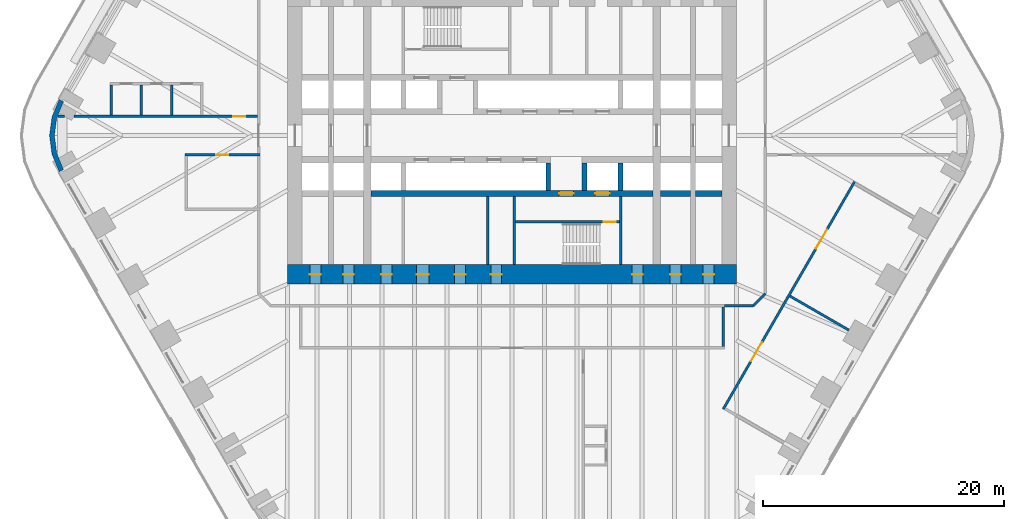
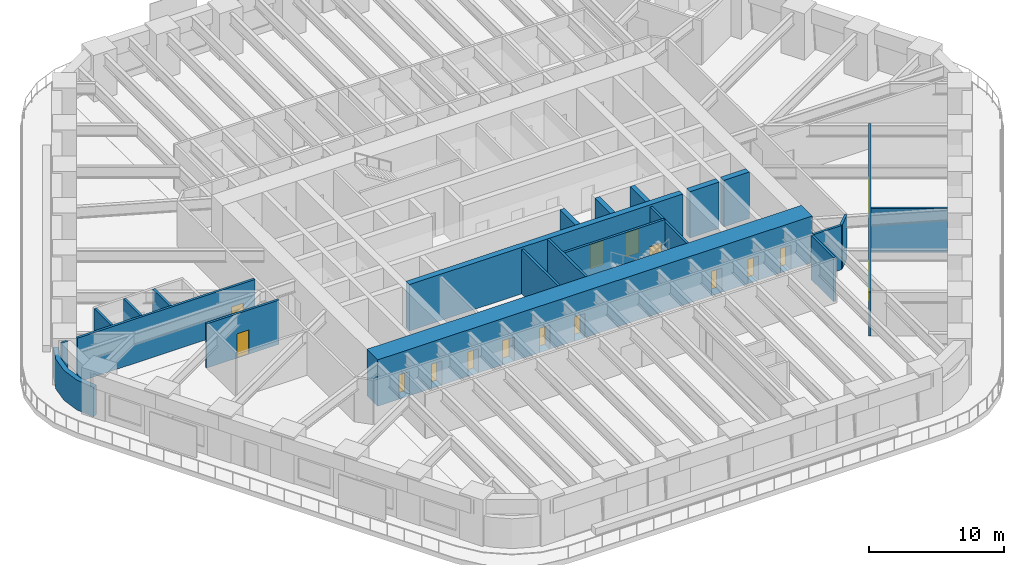
# One storey, part 17 of 23: 23 walls, 16 doors, 16 openings.
"""IFC4 building model written with IfcOpenShell, lengths in metres."""

from ifc_helpers import new_model, si_unit, direction, frame, frame_2d, origin, place, context, subcontext, project, spatial, polyline, rectangle, outline, extrude, material, layer, layer_set, type_object, element, fill, save


model = new_model("IFC4")

# Units and contexts
model_context = context("Model", 3, precision=1e-05, world=origin(), true_north=direction((0.0, 1.0)))
body_context = subcontext(model_context, "Body", "Model", "MODEL_VIEW")
ifc_project = project(units=[si_unit("LENGTHUNIT", "METRE"), si_unit("AREAUNIT", "SQUARE_METRE"), si_unit("VOLUMEUNIT", "CUBIC_METRE"), si_unit("PLANEANGLEUNIT", "RADIAN"), si_unit("MASSUNIT", "GRAM", prefix="KILO")], contexts=[model_context])

# Site, building, storey
site_placement = place(None, origin())
site = spatial("IfcSite", under=ifc_project, at=site_placement, CompositionType="ELEMENT")
building_placement = place(site_placement, origin())
building = spatial("IfcBuilding", under=site, at=building_placement, Name="Tarfa Lantern Tower", CompositionType="ELEMENT")
storey_placement = place(building_placement, frame((0.0, 0.0, 57.10009765625)))
storey = spatial("IfcBuildingStorey", under=building, at=storey_placement, Name="L12", CompositionType="ELEMENT", Elevation=57.10009765625)

# Walls
ifc_material_1 = material(Name="Limestone cladding on blockwork", Category="masonry")
ifc_layer_1 = layer(ifc_material_1, 0.39990234375)
ifc_layer_set_1 = layer_set([ifc_layer_1], Name="EW2 CURVED STONE CORNER 400")
wall_type_1 = type_object("IfcWallType", Name="EW2 CURVED STONE CORNER 400", PredefinedType="SOLIDWALL", material=ifc_layer_set_1)
wall_1_placement = place(storey_placement, origin())
element("IfcWall", 1, at=wall_1_placement, inside=storey, type_object=wall_type_1, Name="Stone corner NW-SW", PredefinedType="SOLIDWALL", context=body_context, shape_type="SweptSolid", body=[
    extrude(outline(polyline([(-37.52783203125, 3.0), (-38.127197265625, 1.552978515625), (-38.33154296875, 0.0), (-38.127197265625, -1.552978515625), (-37.52783203125, -3.0), (-37.181396484375, -2.800048828125), (-37.74072265625, -1.449462890625), (-37.931640625, 0.0), (-37.74072265625, 1.449462890625), (-37.181396484375, 2.800048828125), (-37.52783203125, 3.0)])), origin(), (0.0, 0.0, 1.0), 2.699951171875),
])
ifc_material_2 = material(Name="Concrete blockwork", Category="masonry")
ifc_layer_2 = layer(ifc_material_2, 0.199951171875)
ifc_layer_set_2 = layer_set([ifc_layer_2], Name="IW1 BLOCKWORK PARTITION 200 EI 120")
wall_type_2 = type_object("IfcWallType", Name="IW1 BLOCKWORK PARTITION 200 EI 120", PredefinedType="PARTITIONING", material=ifc_layer_set_2)
for number, where, z_axis, x_axis, name in (
    (2, (9.0, -5.050048828125, 0.0), (0.0, 0.0, 1.0), (0.0, -1.0, 0.0), "Core partition"),
    (3, (-2.0, -5.050048828125, 0.0), (0.0, 0.0, 1.0), (0.0, -1.0, 0.0), "Core partition"),
):
    element("IfcWall", number, at=place(storey_placement, frame(where, z_axis=z_axis, x_axis=x_axis)), inside=storey, type_object=wall_type_2, Name=name, PredefinedType="PARTITIONING", context=body_context, shape_type="SweptSolid", body=[
        extrude(rectangle(XDim=5.64990234375, YDim=0.199951171875, at=frame_2d((2.824951171875, 0.0))), origin(), (0.0, 0.0, 1.0), 4.0),
    ])
ifc_material_3 = material(Name="Gypsum board on steel studs", Category="steel")
ifc_layer_3 = layer(ifc_material_3, 0.2099609375)
ifc_layer_set_3 = layer_set([ifc_layer_3], Name="IW2 ACOUSTIC PARTITION 200")
wall_type_3 = type_object("IfcWallType", Name="IW2 ACOUSTIC PARTITION 200", PredefinedType="PARTITIONING", material=ifc_layer_set_3)
wall_2_placement = place(storey_placement, frame((17.5, -14.199951171875, 0.0), z_axis=(0.0, 0.0, 1.0), x_axis=(0.0, -1.0, 0.0)))
element("IfcWall", 4, at=wall_2_placement, inside=storey, type_object=wall_type_3, Name="Partition", PredefinedType="PARTITIONING", context=body_context, shape_type="SweptSolid", body=[
    extrude(rectangle(XDim=3.300048828125, YDim=0.199951171875, at=frame_2d((1.64990234375, 0.0))), origin(), (0.0, 0.0, 1.0), 4.0),
])

# Wall, openings, doors
wall_3_placement = place(storey_placement, frame((17.510986328125, -22.669921875, 0.0), z_axis=(0.0, 0.0, 1.0), x_axis=(0.500000289772, 0.866025236485, 0.0)))
wall_3 = element("IfcWall", 5, at=wall_3_placement, inside=storey, type_object=wall_type_3, Name="Partition", PredefinedType="PARTITIONING", context=body_context, shape_type="SweptSolid", body=[
    extrude(rectangle(XDim=21.75439453125, YDim=0.199951171875, at=frame_2d((10.877197265625, 0.0))), origin(), (0.0, 0.0, 1.0), 4.0),
])
opening_1_placement = place(wall_3_placement, frame((4.588623046875, 0.0, 0.0)))
opening_1 = element("IfcOpeningElement", 6, at=opening_1_placement, cuts=wall_3, Name="Opening D30", PredefinedType="OPENING", context=body_context, shape_type="SweptSolid", body=[
    extrude(rectangle(XDim=1.800048828125, YDim=2.39990234375, at=frame_2d((0.89990234375, 1.199951171875))), frame((0.0, 0.10986328125, 0.0), z_axis=(0.0, -1.0, 0.0), x_axis=(1.0, 0.0, 0.0)), (0.0, 0.0, 1.0), 0.219970703125),
])
opening_2_placement = place(wall_3_placement, frame((15.36572265625, 0.0, 0.0)))
opening_2 = element("IfcOpeningElement", 7, at=opening_2_placement, cuts=wall_3, Name="Opening D31", PredefinedType="OPENING", context=body_context, shape_type="SweptSolid", body=[
    extrude(rectangle(XDim=1.800048828125, YDim=2.39990234375, at=frame_2d((0.89990234375, 1.199951171875))), frame((0.0, 0.10986328125, 0.0), z_axis=(0.0, -1.0, 0.0), x_axis=(1.0, 0.0, 0.0)), (0.0, 0.0, 1.0), 0.219970703125),
])
ifc_material_4 = material(Name="Timber door", Category="wood")
door_type_1 = type_object("IfcDoorType", Name="DR2 ROOM DOOR 1800x2400", OperationType="DOUBLE_DOOR_SINGLE_SWING", PredefinedType="DOOR", material=ifc_material_4)
door_1_placement = place(opening_1_placement, frame((1.800048828125, 0.0, 0.0), z_axis=(0.0, 0.0, 1.0), x_axis=(-1.0, 0.0, 0.0)))
door_1 = element("IfcDoor", 8, at=door_1_placement, inside=storey, type_object=door_type_1, Name="Project studio door", OperationType="DOUBLE_DOOR_SINGLE_SWING", OverallHeight=2.39990234375, OverallWidth=1.800048828125, PredefinedType="DOOR", context=body_context, shape_type="SweptSolid", body=[
    extrude(rectangle(XDim=1.800048828125, YDim=2.39990234375, at=frame_2d((0.89990234375, 1.199951171875))), frame((0.0, 0.02490234375, 0.0), z_axis=(0.0, -1.0, 0.0), x_axis=(1.0, 0.0, 0.0)), (0.0, 0.0, 1.0), 0.050048828125),
])
fill(opening_1, door_1)
door_2_placement = place(opening_2_placement, frame((1.800048828125, 0.0, 0.0), z_axis=(0.0, 0.0, 1.0), x_axis=(-1.0, 0.0, 0.0)))
door_2 = element("IfcDoor", 9, at=door_2_placement, inside=storey, type_object=door_type_1, Name="Project studio door", OperationType="DOUBLE_DOOR_SINGLE_SWING", OverallHeight=2.39990234375, OverallWidth=1.800048828125, PredefinedType="DOOR", context=body_context, shape_type="SweptSolid", body=[
    extrude(rectangle(XDim=1.800048828125, YDim=2.39990234375, at=frame_2d((0.89990234375, 1.199951171875))), frame((0.0, 0.02490234375, 0.0), z_axis=(0.0, -1.0, 0.0), x_axis=(1.0, 0.0, 0.0)), (0.0, 0.0, 1.0), 0.050048828125),
])
fill(opening_2, door_2)

# Wall
wall_4_placement = place(storey_placement, frame((23.036376953125, -13.300048828125, 0.0), z_axis=(0.0, 0.0, 1.0), x_axis=(0.866019355129, -0.500010476433, 0.0)))
element("IfcWall", 10, at=wall_4_placement, inside=storey, type_object=wall_type_3, Name="Partition", PredefinedType="PARTITIONING", context=body_context, shape_type="SweptSolid", body=[
    extrude(rectangle(XDim=5.64990234375, YDim=0.199951171875, at=frame_2d((2.824951171875, 0.0))), origin(), (0.0, 0.0, 1.0), 4.0),
])

# Wall, opening, door
wall_5_placement = place(storey_placement, frame((-20.89990234375, -1.60009765625, 0.0), z_axis=(0.0, 0.0, 1.0), x_axis=(-1.0, 0.0, 0.0)))
wall_5 = element("IfcWall", 11, at=wall_5_placement, inside=storey, type_object=wall_type_3, Name="Partition", PredefinedType="PARTITIONING", context=body_context, shape_type="SweptSolid", body=[
    extrude(rectangle(XDim=6.2001953125, YDim=0.199951171875, at=frame_2d((3.10009765625, 0.0))), origin(), (0.0, 0.0, 1.0), 4.0),
])
opening_3_placement = place(wall_5_placement, frame((2.60009765625, 0.0, 0.0)))
opening_3 = element("IfcOpeningElement", 12, at=opening_3_placement, cuts=wall_5, Name="Opening D32", PredefinedType="OPENING", context=body_context, shape_type="SweptSolid", body=[
    extrude(rectangle(XDim=1.0, YDim=2.199951171875, at=frame_2d((0.5, 1.10009765625))), frame((0.0, 0.10986328125, 0.0), z_axis=(0.0, -1.0, 0.0), x_axis=(1.0, 0.0, 0.0)), (0.0, 0.0, 1.0), 0.219970703125),
])
door_type_2 = type_object("IfcDoorType", Name="DR1 ROOM DOOR 1000x2200", OperationType="SINGLE_SWING_LEFT", PredefinedType="DOOR", material=ifc_material_4)
door_3_placement = place(opening_3_placement, origin())
door_3 = element("IfcDoor", 13, at=door_3_placement, inside=storey, type_object=door_type_2, Name="Pantry door", OperationType="SINGLE_SWING_RIGHT", OverallHeight=2.199951171875, OverallWidth=1.0, PredefinedType="DOOR", context=body_context, shape_type="SweptSolid", body=[
    extrude(rectangle(XDim=1.0, YDim=2.199951171875, at=frame_2d((0.5, 1.10009765625))), frame((0.0, 0.02490234375, 0.0), z_axis=(0.0, -1.0, 0.0), x_axis=(1.0, 0.0, 0.0)), (0.0, 0.0, 1.0), 0.050048828125),
])
fill(opening_3, door_3)

# Walls
wall_6_placement = place(storey_placement, frame((21.0, -13.10009765625, 0.0), z_axis=(0.0, 0.0, 1.0), x_axis=(-0.707106781187, -0.707106781187, 0.0)))
element("IfcWall", 14, at=wall_6_placement, inside=storey, type_object=wall_type_3, Name="Partition", PredefinedType="PARTITIONING", context=body_context, shape_type="SweptSolid", body=[
    extrude(rectangle(XDim=1.414306640625, YDim=0.199951171875, at=frame_2d((0.70703125, 0.0))), origin(), (0.0, 0.0, 1.0), 4.0),
])
wall_7_placement = place(storey_placement, frame((20.0, -14.10009765625, 0.0), z_axis=(0.0, 0.0, 1.0), x_axis=(-1.0, 0.0, 0.0)))
element("IfcWall", 15, at=wall_7_placement, inside=storey, type_object=wall_type_3, Name="Partition", PredefinedType="PARTITIONING", context=body_context, shape_type="SweptSolid", body=[
    extrude(rectangle(XDim=2.39990234375, YDim=0.199951171875, at=frame_2d((1.199951171875, 0.0))), origin(), (0.0, 0.0, 1.0), 4.0),
])

# Wall, opening, door
wall_8_placement = place(storey_placement, frame((-21.10009765625, 1.60009765625, 0.0), z_axis=(0.0, 0.0, 1.0), x_axis=(-1.0, 0.0, 0.0)))
wall_8 = element("IfcWall", 16, at=wall_8_placement, inside=storey, type_object=wall_type_3, Name="Partition", PredefinedType="PARTITIONING", context=body_context, shape_type="SweptSolid", body=[
    extrude(rectangle(XDim=15.21533203125, YDim=0.199951171875, at=frame_2d((7.607666015625, 0.0))), origin(), (0.0, 0.0, 1.0), 4.0),
])
opening_4_placement = place(wall_8_placement, frame((1.021484375, 0.0, 0.0)))
opening_4 = element("IfcOpeningElement", 17, at=opening_4_placement, cuts=wall_8, Name="Opening D48", PredefinedType="OPENING", context=body_context, shape_type="SweptSolid", body=[
    extrude(rectangle(XDim=1.0, YDim=2.199951171875, at=frame_2d((0.5, 1.10009765625))), frame((0.0, 0.10986328125, 0.0), z_axis=(0.0, -1.0, 0.0), x_axis=(1.0, 0.0, 0.0)), (0.0, 0.0, 1.0), 0.219970703125),
])
door_4_placement = place(opening_4_placement, origin())
door_4 = element("IfcDoor", 18, at=door_4_placement, inside=storey, type_object=door_type_2, Name="Zone door", OperationType="SINGLE_SWING_RIGHT", OverallHeight=2.199951171875, OverallWidth=1.0, PredefinedType="DOOR", context=body_context, shape_type="SweptSolid", body=[
    extrude(rectangle(XDim=1.0, YDim=2.199951171875, at=frame_2d((0.5, 1.10009765625))), frame((0.0, 0.02490234375, 0.0), z_axis=(0.0, -1.0, 0.0), x_axis=(1.0, 0.0, 0.0)), (0.0, 0.0, 1.0), 0.050048828125),
])
fill(opening_4, door_4)

# Walls
wall_9_placement = place(storey_placement, frame((-37.102783203125, 1.60009765625, 0.0), z_axis=(0.0, 0.0, 1.0), x_axis=(-1.0, 0.0, 0.0)))
element("IfcWall", 19, at=wall_9_placement, inside=storey, type_object=wall_type_3, Name="Partition", PredefinedType="PARTITIONING", context=body_context, shape_type="SweptSolid", body=[
    extrude(rectangle(XDim=0.534423828125, YDim=0.199951171875, at=frame_2d((0.26708984375, 0.0))), origin(), (0.0, 0.0, 1.0), 4.0),
])
for number, where, z_axis, x_axis, name in (
    (20, (-28.218505859375, 1.699951171875, 0.0), (0.0, 0.0, 1.0), (0.0, 1.0, 0.0), "Partition"),
    (21, (-30.718505859375, 1.699951171875, 0.0), (0.0, 0.0, 1.0), (0.0, 1.0, 0.0), "Partition"),
    (22, (-33.218505859375, 1.699951171875, 0.0), (0.0, 0.0, 1.0), (0.0, 1.0, 0.0), "Partition"),
):
    element("IfcWall", number, at=place(storey_placement, frame(where, z_axis=z_axis, x_axis=x_axis)), inside=storey, type_object=wall_type_3, Name=name, PredefinedType="PARTITIONING", context=body_context, shape_type="SweptSolid", body=[
        extrude(rectangle(XDim=2.5, YDim=0.199951171875, at=frame_2d((1.25, 0.0))), origin(), (0.0, 0.0, 1.0), 4.0),
    ])
ifc_material_5 = material(Name="Concrete C80/95", Category="concrete")
ifc_layer_4 = layer(ifc_material_5, 0.199951171875)
ifc_layer_set_4 = layer_set([ifc_layer_4], Name="SW12 CORE WALL 200")
wall_type_4 = type_object("IfcWallType", Name="SW12 CORE WALL 200", PredefinedType="SHEAR", material=ifc_layer_set_4)
wall_10_placement = place(storey_placement, frame((0.199951171875, -5.050048828125, 0.0), z_axis=(0.0, 0.0, 1.0), x_axis=(0.0, -1.0, 0.0)))
element("IfcWall", 23, at=wall_10_placement, inside=storey, type_object=wall_type_4, Name="Core wall stair shaft S", PredefinedType="SHEAR", context=body_context, shape_type="SweptSolid", body=[
    extrude(rectangle(XDim=5.64990234375, YDim=0.199951171875, at=frame_2d((2.824951171875, 0.0))), origin(), (0.0, 0.0, 1.0), 4.199951171875),
])

# Wall, opening, door
wall_11_placement = place(storey_placement, frame((8.89990234375, -7.14990234375, 0.0), z_axis=(0.0, 0.0, 1.0), x_axis=(-1.0, 0.0, 0.0)))
wall_11 = element("IfcWall", 24, at=wall_11_placement, inside=storey, type_object=wall_type_4, Name="Core wall stair partition S", PredefinedType="SHEAR", context=body_context, shape_type="SweptSolid", body=[
    extrude(rectangle(XDim=8.599853515625, YDim=0.199951171875, at=frame_2d((4.2998046875, 0.0))), origin(), (0.0, 0.0, 1.0), 4.199951171875),
])
opening_5_placement = place(wall_11_placement, frame((0.300048828125, 0.0, 0.0)))
opening_5 = element("IfcOpeningElement", 25, at=opening_5_placement, cuts=wall_11, Name="Opening D24", PredefinedType="OPENING", context=body_context, shape_type="SweptSolid", body=[
    extrude(rectangle(XDim=1.0, YDim=2.199951171875, at=frame_2d((0.5, 1.10009765625))), frame((0.0, 0.10986328125, 0.0), z_axis=(0.0, -1.0, 0.0), x_axis=(1.0, 0.0, 0.0)), (0.0, 0.0, 1.0), 0.219970703125),
])
ifc_material_6 = material(Name="Steel fire door", Category="steel")
door_type_3 = type_object("IfcDoorType", Name="DF2 STAIR DOOR 1000x2200", OperationType="SINGLE_SWING_LEFT", PredefinedType="DOOR", material=ifc_material_6)
door_5_placement = place(opening_5_placement, origin())
door_5 = element("IfcDoor", 26, at=door_5_placement, inside=storey, type_object=door_type_3, Name="Stair door", OperationType="SINGLE_SWING_RIGHT", OverallHeight=2.199951171875, OverallWidth=1.0, PredefinedType="DOOR", context=body_context, shape_type="SweptSolid", body=[
    extrude(rectangle(XDim=1.0, YDim=2.199951171875, at=frame_2d((0.5, 1.10009765625))), frame((0.0, 0.02490234375, 0.0), z_axis=(0.0, -1.0, 0.0), x_axis=(1.0, 0.0, 0.0)), (0.0, 0.0, 1.0), 0.050048828125),
])
fill(opening_5, door_5)

# Walls
ifc_layer_5 = layer(ifc_material_5, 0.5)
ifc_layer_set_5 = layer_set([ifc_layer_5], Name="SW5 CORE WALL 500")
wall_type_5 = type_object("IfcWallType", Name="SW5 CORE WALL 500", PredefinedType="SHEAR", material=ifc_layer_set_5)
wall_12_placement = place(storey_placement, frame((17.39990234375, -4.800048828125, 0.0), z_axis=(0.0, 0.0, 1.0), x_axis=(-1.0, 0.0, 0.0)))
element("IfcWall", 27, at=wall_12_placement, inside=storey, type_object=wall_type_5, Name="Core wall rear S", PredefinedType="SHEAR", context=body_context, shape_type="SweptSolid", body=[
    extrude(rectangle(XDim=2.199951171875, YDim=0.5, at=frame_2d((1.10009765625, 0.0))), origin(), (0.0, 0.0, 1.0), 4.199951171875),
])
wall_13_placement = place(storey_placement, frame((14.800048828125, -4.800048828125, 0.0), z_axis=(0.0, 0.0, 1.0), x_axis=(-1.0, 0.0, 0.0)))
element("IfcWall", 28, at=wall_13_placement, inside=storey, type_object=wall_type_5, Name="Core wall rear S", PredefinedType="SHEAR", context=body_context, shape_type="SweptSolid", body=[
    extrude(rectangle(XDim=2.5, YDim=0.5, at=frame_2d((1.25, 0.0))), origin(), (0.0, 0.0, 1.0), 4.199951171875),
])

# Wall, openings, doors
wall_14_placement = place(storey_placement, frame((11.699951171875, -4.800048828125, 0.0), z_axis=(0.0, 0.0, 1.0), x_axis=(-1.0, 0.0, 0.0)))
wall_14 = element("IfcWall", 29, at=wall_14_placement, inside=storey, type_object=wall_type_5, Name="Core wall rear S", PredefinedType="SHEAR", context=body_context, shape_type="SweptSolid", body=[
    extrude(rectangle(XDim=23.39990234375, YDim=0.5, at=frame_2d((11.699951171875, 0.0))), origin(), (0.0, 0.0, 1.0), 4.199951171875),
])
opening_6_placement = place(wall_14_placement, frame((6.60009765625, 0.0, 0.0)))
opening_6 = element("IfcOpeningElement", 30, at=opening_6_placement, cuts=wall_14, Name="Opening D14", PredefinedType="OPENING", context=body_context, shape_type="SweptSolid", body=[
    extrude(rectangle(XDim=1.199951171875, YDim=2.199951171875, at=frame_2d((0.60009765625, 1.10009765625))), frame((0.0, 0.260009765625, 0.0), z_axis=(0.0, -1.0, 0.0), x_axis=(1.0, 0.0, 0.0)), (0.0, 0.0, 1.0), 0.52001953125),
])
opening_7_placement = place(wall_14_placement, frame((3.60009765625, 0.0, 0.0)))
opening_7 = element("IfcOpeningElement", 31, at=opening_7_placement, cuts=wall_14, Name="Opening LD02", PredefinedType="OPENING", context=body_context, shape_type="SweptSolid", body=[
    extrude(rectangle(XDim=1.199951171875, YDim=2.199951171875, at=frame_2d((0.60009765625, 1.10009765625))), frame((0.0, 0.260009765625, 0.0), z_axis=(0.0, -1.0, 0.0), x_axis=(1.0, 0.0, 0.0)), (0.0, 0.0, 1.0), 0.52001953125),
])
door_type_4 = type_object("IfcDoorType", Name="DF1 FIREFIGHTING LOBBY DOOR 1200x2200", OperationType="SINGLE_SWING_LEFT", PredefinedType="DOOR", material=ifc_material_6)
door_6_placement = place(opening_6_placement, origin())
door_6 = element("IfcDoor", 32, at=door_6_placement, inside=storey, type_object=door_type_4, Name="Firefighting lobby door", OperationType="SINGLE_SWING_LEFT", OverallHeight=2.199951171875, OverallWidth=1.199951171875, PredefinedType="DOOR", context=body_context, shape_type="SweptSolid", body=[
    extrude(rectangle(XDim=1.199951171875, YDim=2.199951171875, at=frame_2d((0.60009765625, 1.10009765625))), frame((0.0, 0.02490234375, 0.0), z_axis=(0.0, -1.0, 0.0), x_axis=(1.0, 0.0, 0.0)), (0.0, 0.0, 1.0), 0.050048828125),
])
fill(opening_6, door_6)
ifc_material_7 = material(Name="Stainless steel lift door", Category="steel")
door_type_5 = type_object("IfcDoorType", Name="LD1 LIFT LANDING DOOR 1200x2200", OperationType="SLIDING_TO_LEFT", PredefinedType="DOOR", material=ifc_material_7)
door_7_placement = place(opening_7_placement, origin())
door_7 = element("IfcDoor", 33, at=door_7_placement, inside=storey, type_object=door_type_5, Name="Landing door FL2", OperationType="SLIDING_TO_LEFT", OverallHeight=2.199951171875, OverallWidth=1.199951171875, PredefinedType="DOOR", context=body_context, shape_type="SweptSolid", body=[
    extrude(rectangle(XDim=1.199951171875, YDim=2.199951171875, at=frame_2d((0.60009765625, 1.10009765625))), frame((0.0, 0.02490234375, 0.0), z_axis=(0.0, -1.0, 0.0), x_axis=(1.0, 0.0, 0.0)), (0.0, 0.0, 1.0), 0.050048828125),
])
fill(opening_7, door_7)

# Walls
ifc_layer_6 = layer(ifc_material_5, 0.39990234375)
ifc_layer_set_6 = layer_set([ifc_layer_6], Name="SW6 CORE WALL 400")
wall_type_6 = type_object("IfcWallType", Name="SW6 CORE WALL 400", PredefinedType="SHEAR", material=ifc_layer_set_6)
for number, where, z_axis, x_axis, name in (
    (34, (9.0, -2.25, 0.0), (0.0, 0.0, 1.0), (0.0, -1.0, 0.0), "Core wall divider S"),
    (35, (6.0, -2.25, 0.0), (0.0, 0.0, 1.0), (0.0, -1.0, 0.0), "Core wall divider S"),
    (36, (3.0, -2.25, 0.0), (0.0, 0.0, 1.0), (0.0, -1.0, 0.0), "Core wall divider S"),
):
    element("IfcWall", number, at=place(storey_placement, frame(where, z_axis=z_axis, x_axis=x_axis)), inside=storey, type_object=wall_type_6, Name=name, PredefinedType="SHEAR", context=body_context, shape_type="SweptSolid", body=[
        extrude(rectangle(XDim=2.300048828125, YDim=0.39990234375, at=frame_2d((1.14990234375, 0.0))), origin(), (0.0, 0.0, 1.0), 4.199951171875),
    ])

# Wall, openings, doors
ifc_layer_7 = layer(ifc_material_5, 1.60009765625)
ifc_layer_set_7 = layer_set([ifc_layer_7], Name="SW7 CORE WALL 1600")
wall_type_7 = type_object("IfcWallType", Name="SW7 CORE WALL 1600", PredefinedType="SHEAR", material=ifc_layer_set_7)
wall_15_placement = place(storey_placement, frame((18.60009765625, -11.5, 0.0), z_axis=(0.0, 0.0, 1.0), x_axis=(-1.0, 0.0, 0.0)))
wall_15 = element("IfcWall", 37, at=wall_15_placement, inside=storey, type_object=wall_type_7, Name="Core wall S", PredefinedType="SHEAR", context=body_context, shape_type="SweptSolid", body=[
    extrude(rectangle(XDim=37.2001953125, YDim=1.60009765625, at=frame_2d((18.60009765625, 0.0))), origin(), (0.0, 0.0, 1.0), 4.199951171875),
])
opening_8_placement = place(wall_15_placement, frame((19.449951171875, 0.0, 0.0)))
opening_8 = element("IfcOpeningElement", 38, at=opening_8_placement, cuts=wall_15, Name="Opening D18", PredefinedType="OPENING", context=body_context, shape_type="SweptSolid", body=[
    extrude(rectangle(XDim=0.89990234375, YDim=2.199951171875, at=frame_2d((0.449951171875, 1.10009765625))), frame((0.0, 0.81005859375, 0.0), z_axis=(0.0, -1.0, 0.0), x_axis=(1.0, 0.0, 0.0)), (0.0, 0.0, 1.0), 1.6201171875),
])
opening_9_placement = place(wall_15_placement, frame((22.449951171875, 0.0, 0.0)))
opening_9 = element("IfcOpeningElement", 39, at=opening_9_placement, cuts=wall_15, Name="Opening D20", PredefinedType="OPENING", context=body_context, shape_type="SweptSolid", body=[
    extrude(rectangle(XDim=0.89990234375, YDim=2.199951171875, at=frame_2d((0.449951171875, 1.10009765625))), frame((0.0, 0.81005859375, 0.0), z_axis=(0.0, -1.0, 0.0), x_axis=(1.0, 0.0, 0.0)), (0.0, 0.0, 1.0), 1.6201171875),
])
opening_10_placement = place(wall_15_placement, frame((25.5, 0.0, 0.0)))
opening_10 = element("IfcOpeningElement", 40, at=opening_10_placement, cuts=wall_15, Name="Opening D22", PredefinedType="OPENING", context=body_context, shape_type="SweptSolid", body=[
    extrude(rectangle(XDim=1.0, YDim=2.199951171875, at=frame_2d((0.5, 1.10009765625))), frame((0.0, 0.81005859375, 0.0), z_axis=(0.0, -1.0, 0.0), x_axis=(1.0, 0.0, 0.0)), (0.0, 0.0, 1.0), 1.6201171875),
])
opening_11_placement = place(wall_15_placement, frame((1.85009765625, 0.0, 0.0)))
opening_11 = element("IfcOpeningElement", 41, at=opening_11_placement, cuts=wall_15, Name="Opening D12", PredefinedType="OPENING", context=body_context, shape_type="SweptSolid", body=[
    extrude(rectangle(XDim=0.89990234375, YDim=2.199951171875, at=frame_2d((0.449951171875, 1.10009765625))), frame((0.0, 0.81005859375, 0.0), z_axis=(0.0, -1.0, 0.0), x_axis=(1.0, 0.0, 0.0)), (0.0, 0.0, 1.0), 1.6201171875),
])
opening_12_placement = place(wall_15_placement, frame((4.60009765625, 0.0, 0.0)))
opening_12 = element("IfcOpeningElement", 42, at=opening_12_placement, cuts=wall_15, Name="Opening D08", PredefinedType="OPENING", context=body_context, shape_type="SweptSolid", body=[
    extrude(rectangle(XDim=0.89990234375, YDim=2.199951171875, at=frame_2d((0.449951171875, 1.10009765625))), frame((0.0, 0.81005859375, 0.0), z_axis=(0.0, -1.0, 0.0), x_axis=(1.0, 0.0, 0.0)), (0.0, 0.0, 1.0), 1.6201171875),
])
opening_13_placement = place(wall_15_placement, frame((7.75, 0.0, 0.0)))
opening_13 = element("IfcOpeningElement", 43, at=opening_13_placement, cuts=wall_15, Name="Opening D10", PredefinedType="OPENING", context=body_context, shape_type="SweptSolid", body=[
    extrude(rectangle(XDim=0.89990234375, YDim=2.199951171875, at=frame_2d((0.449951171875, 1.10009765625))), frame((0.0, 0.81005859375, 0.0), z_axis=(0.0, -1.0, 0.0), x_axis=(1.0, 0.0, 0.0)), (0.0, 0.0, 1.0), 1.6201171875),
])
opening_14_placement = place(wall_15_placement, frame((28.550048828125, 0.0, 0.0)))
opening_14 = element("IfcOpeningElement", 44, at=opening_14_placement, cuts=wall_15, Name="Opening D06", PredefinedType="OPENING", context=body_context, shape_type="SweptSolid", body=[
    extrude(rectangle(XDim=0.89990234375, YDim=2.199951171875, at=frame_2d((0.449951171875, 1.10009765625))), frame((0.0, 0.81005859375, 0.0), z_axis=(0.0, -1.0, 0.0), x_axis=(1.0, 0.0, 0.0)), (0.0, 0.0, 1.0), 1.6201171875),
])
opening_15_placement = place(wall_15_placement, frame((31.699951171875, 0.0, 0.0)))
opening_15 = element("IfcOpeningElement", 45, at=opening_15_placement, cuts=wall_15, Name="Opening D02", PredefinedType="OPENING", context=body_context, shape_type="SweptSolid", body=[
    extrude(rectangle(XDim=0.89990234375, YDim=2.199951171875, at=frame_2d((0.449951171875, 1.10009765625))), frame((0.0, 0.81005859375, 0.0), z_axis=(0.0, -1.0, 0.0), x_axis=(1.0, 0.0, 0.0)), (0.0, 0.0, 1.0), 1.6201171875),
])
opening_16_placement = place(wall_15_placement, frame((34.449951171875, 0.0, 0.0)))
opening_16 = element("IfcOpeningElement", 46, at=opening_16_placement, cuts=wall_15, Name="Opening D04", PredefinedType="OPENING", context=body_context, shape_type="SweptSolid", body=[
    extrude(rectangle(XDim=0.89990234375, YDim=2.199951171875, at=frame_2d((0.449951171875, 1.10009765625))), frame((0.0, 0.81005859375, 0.0), z_axis=(0.0, -1.0, 0.0), x_axis=(1.0, 0.0, 0.0)), (0.0, 0.0, 1.0), 1.6201171875),
])
door_type_6 = type_object("IfcDoorType", Name="DF3 CORE ROOM DOOR 900x2200", OperationType="SINGLE_SWING_LEFT", PredefinedType="DOOR", material=ifc_material_6)
door_8_placement = place(opening_8_placement, frame((0.89990234375, 0.0, 0.0), z_axis=(0.0, 0.0, 1.0), x_axis=(-1.0, 0.0, 0.0)))
door_8 = element("IfcDoor", 47, at=door_8_placement, inside=storey, type_object=door_type_6, Name="Core door", OperationType="SINGLE_SWING_RIGHT", OverallHeight=2.199951171875, OverallWidth=0.89990234375, PredefinedType="DOOR", context=body_context, shape_type="SweptSolid", body=[
    extrude(rectangle(XDim=0.89990234375, YDim=2.199951171875, at=frame_2d((0.449951171875, 1.10009765625))), frame((0.0, 0.02490234375, 0.0), z_axis=(0.0, -1.0, 0.0), x_axis=(1.0, 0.0, 0.0)), (0.0, 0.0, 1.0), 0.050048828125),
])
fill(opening_8, door_8)
door_9_placement = place(opening_9_placement, frame((0.89990234375, 0.0, 0.0), z_axis=(0.0, 0.0, 1.0), x_axis=(-1.0, 0.0, 0.0)))
door_9 = element("IfcDoor", 48, at=door_9_placement, inside=storey, type_object=door_type_6, Name="Core door", OperationType="SINGLE_SWING_LEFT", OverallHeight=2.199951171875, OverallWidth=0.89990234375, PredefinedType="DOOR", context=body_context, shape_type="SweptSolid", body=[
    extrude(rectangle(XDim=0.89990234375, YDim=2.199951171875, at=frame_2d((0.449951171875, 1.10009765625))), frame((0.0, 0.02490234375, 0.0), z_axis=(0.0, -1.0, 0.0), x_axis=(1.0, 0.0, 0.0)), (0.0, 0.0, 1.0), 0.050048828125),
])
fill(opening_9, door_9)
door_type_7 = type_object("IfcDoorType", Name="DF4 CORE ROOM DOOR 1000x2200", OperationType="SINGLE_SWING_LEFT", PredefinedType="DOOR", material=ifc_material_6)
door_10_placement = place(opening_10_placement, frame((1.0, 0.0, 0.0), z_axis=(0.0, 0.0, 1.0), x_axis=(-1.0, 0.0, 0.0)))
door_10 = element("IfcDoor", 49, at=door_10_placement, inside=storey, type_object=door_type_7, Name="Core door", OperationType="SINGLE_SWING_RIGHT", OverallHeight=2.199951171875, OverallWidth=1.0, PredefinedType="DOOR", context=body_context, shape_type="SweptSolid", body=[
    extrude(rectangle(XDim=1.0, YDim=2.199951171875, at=frame_2d((0.5, 1.10009765625))), frame((0.0, 0.02490234375, 0.0), z_axis=(0.0, -1.0, 0.0), x_axis=(1.0, 0.0, 0.0)), (0.0, 0.0, 1.0), 0.050048828125),
])
fill(opening_10, door_10)
door_type_8 = type_object("IfcDoorType", Name="DF5 RISER DOOR 900x2200", OperationType="SINGLE_SWING_LEFT", PredefinedType="DOOR", material=ifc_material_6)
door_11_placement = place(opening_11_placement, frame((0.89990234375, 0.0, 0.0), z_axis=(0.0, 0.0, 1.0), x_axis=(-1.0, 0.0, 0.0)))
door_11 = element("IfcDoor", 50, at=door_11_placement, inside=storey, type_object=door_type_8, Name="Riser door", OperationType="SINGLE_SWING_LEFT", OverallHeight=2.199951171875, OverallWidth=0.89990234375, PredefinedType="DOOR", context=body_context, shape_type="SweptSolid", body=[
    extrude(rectangle(XDim=0.89990234375, YDim=2.199951171875, at=frame_2d((0.449951171875, 1.10009765625))), frame((0.0, 0.02490234375, 0.0), z_axis=(0.0, -1.0, 0.0), x_axis=(1.0, 0.0, 0.0)), (0.0, 0.0, 1.0), 0.050048828125),
])
fill(opening_11, door_11)
door_12_placement = place(opening_12_placement, frame((0.89990234375, 0.0, 0.0), z_axis=(0.0, 0.0, 1.0), x_axis=(-1.0, 0.0, 0.0)))
door_12 = element("IfcDoor", 51, at=door_12_placement, inside=storey, type_object=door_type_8, Name="Riser door", OperationType="SINGLE_SWING_LEFT", OverallHeight=2.199951171875, OverallWidth=0.89990234375, PredefinedType="DOOR", context=body_context, shape_type="SweptSolid", body=[
    extrude(rectangle(XDim=0.89990234375, YDim=2.199951171875, at=frame_2d((0.449951171875, 1.10009765625))), frame((0.0, 0.02490234375, 0.0), z_axis=(0.0, -1.0, 0.0), x_axis=(1.0, 0.0, 0.0)), (0.0, 0.0, 1.0), 0.050048828125),
])
fill(opening_12, door_12)
door_13_placement = place(opening_13_placement, frame((0.89990234375, 0.0, 0.0), z_axis=(0.0, 0.0, 1.0), x_axis=(-1.0, 0.0, 0.0)))
door_13 = element("IfcDoor", 52, at=door_13_placement, inside=storey, type_object=door_type_8, Name="Riser door", OperationType="SINGLE_SWING_LEFT", OverallHeight=2.199951171875, OverallWidth=0.89990234375, PredefinedType="DOOR", context=body_context, shape_type="SweptSolid", body=[
    extrude(rectangle(XDim=0.89990234375, YDim=2.199951171875, at=frame_2d((0.449951171875, 1.10009765625))), frame((0.0, 0.02490234375, 0.0), z_axis=(0.0, -1.0, 0.0), x_axis=(1.0, 0.0, 0.0)), (0.0, 0.0, 1.0), 0.050048828125),
])
fill(opening_13, door_13)
door_14_placement = place(opening_14_placement, frame((0.89990234375, 0.0, 0.0), z_axis=(0.0, 0.0, 1.0), x_axis=(-1.0, 0.0, 0.0)))
door_14 = element("IfcDoor", 53, at=door_14_placement, inside=storey, type_object=door_type_8, Name="Riser door", OperationType="SINGLE_SWING_RIGHT", OverallHeight=2.199951171875, OverallWidth=0.89990234375, PredefinedType="DOOR", context=body_context, shape_type="SweptSolid", body=[
    extrude(rectangle(XDim=0.89990234375, YDim=2.199951171875, at=frame_2d((0.449951171875, 1.10009765625))), frame((0.0, 0.02490234375, 0.0), z_axis=(0.0, -1.0, 0.0), x_axis=(1.0, 0.0, 0.0)), (0.0, 0.0, 1.0), 0.050048828125),
])
fill(opening_14, door_14)
door_15_placement = place(opening_15_placement, frame((0.89990234375, 0.0, 0.0), z_axis=(0.0, 0.0, 1.0), x_axis=(-1.0, 0.0, 0.0)))
door_15 = element("IfcDoor", 54, at=door_15_placement, inside=storey, type_object=door_type_8, Name="Riser door", OperationType="SINGLE_SWING_RIGHT", OverallHeight=2.199951171875, OverallWidth=0.89990234375, PredefinedType="DOOR", context=body_context, shape_type="SweptSolid", body=[
    extrude(rectangle(XDim=0.89990234375, YDim=2.199951171875, at=frame_2d((0.449951171875, 1.10009765625))), frame((0.0, 0.02490234375, 0.0), z_axis=(0.0, -1.0, 0.0), x_axis=(1.0, 0.0, 0.0)), (0.0, 0.0, 1.0), 0.050048828125),
])
fill(opening_15, door_15)
door_16_placement = place(opening_16_placement, frame((0.89990234375, 0.0, 0.0), z_axis=(0.0, 0.0, 1.0), x_axis=(-1.0, 0.0, 0.0)))
door_16 = element("IfcDoor", 55, at=door_16_placement, inside=storey, type_object=door_type_8, Name="Riser door", OperationType="SINGLE_SWING_RIGHT", OverallHeight=2.199951171875, OverallWidth=0.89990234375, PredefinedType="DOOR", context=body_context, shape_type="SweptSolid", body=[
    extrude(rectangle(XDim=0.89990234375, YDim=2.199951171875, at=frame_2d((0.449951171875, 1.10009765625))), frame((0.0, 0.02490234375, 0.0), z_axis=(0.0, -1.0, 0.0), x_axis=(1.0, 0.0, 0.0)), (0.0, 0.0, 1.0), 0.050048828125),
])
fill(opening_16, door_16)

save(model, "model.ifc")
